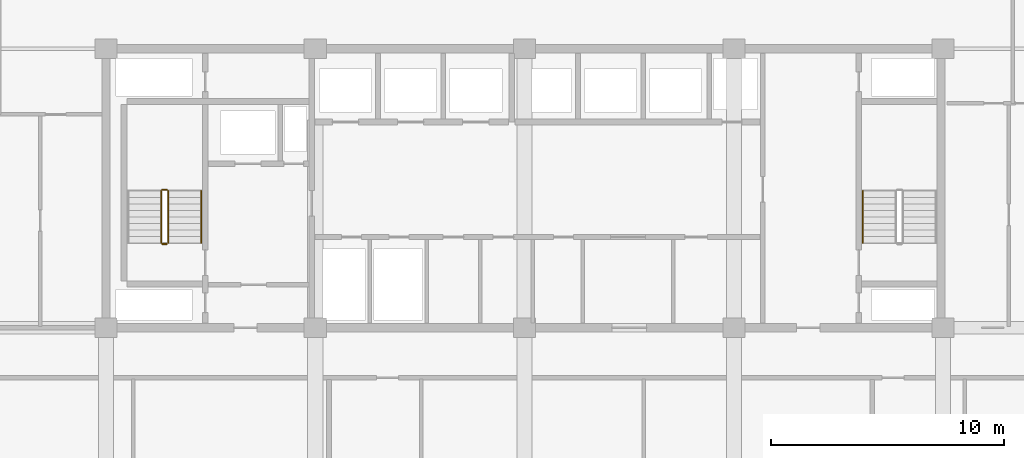
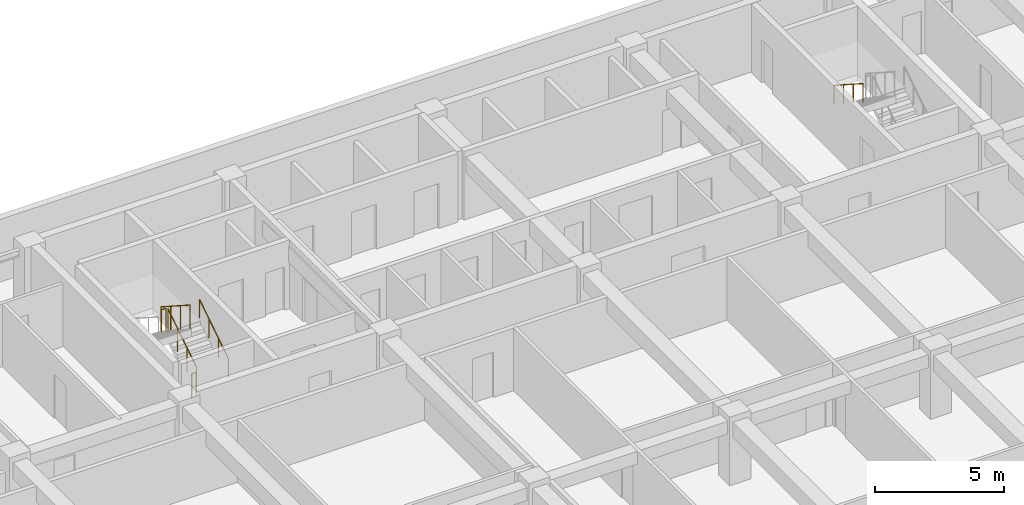
# One storey, part 20 of 23: 6 railings.
"""IFC4 building model written with IfcOpenShell, lengths in metres."""

from ifc_helpers import new_model, si_unit, direction, frame, origin, origin_2d, place, context, subcontext, project, spatial, circle, extrude, material, type_object, element, save


model = new_model("IFC4")

# Units and contexts
model_context = context("Model", 3, precision=1e-05, world=origin(), true_north=direction((0.0, 1.0)))
body_context = subcontext(model_context, "Body", "Model", "MODEL_VIEW")
ifc_project = project(units=[si_unit("LENGTHUNIT", "METRE"), si_unit("AREAUNIT", "SQUARE_METRE"), si_unit("VOLUMEUNIT", "CUBIC_METRE"), si_unit("PLANEANGLEUNIT", "RADIAN"), si_unit("MASSUNIT", "GRAM", prefix="KILO")], contexts=[model_context])

# Site, building, storey
site_placement = place(None, origin())
site = spatial("IfcSite", under=ifc_project, at=site_placement, CompositionType="ELEMENT")
building_placement = place(site_placement, origin())
building = spatial("IfcBuilding", under=site, at=building_placement, Name="Korimba Cascade Residences", CompositionType="ELEMENT")
storey_placement = place(building_placement, frame((0.0, 0.0, 56.5)))
storey = spatial("IfcBuildingStorey", under=building, at=storey_placement, Name="L15", CompositionType="ELEMENT", Elevation=56.5)

# Railings
ifc_material_1 = material(Name="Painted Steel Stairwell Guardrail", Category="steel")
railing_type_1 = type_object("IfcRailingType", Name="RLG-ST-GD1150", PredefinedType="GUARDRAIL", material=ifc_material_1)
railing_1_placement = place(storey_placement, frame((84.77001953125, 22.050048828125, 0.1806640625)))
element("IfcRailing", 1, at=railing_1_placement, inside=storey, type_object=railing_type_1, Name="L15 ST-E1 stair guard 1", PredefinedType="GUARDRAIL", context=body_context, shape_type="SweptSolid", body=[
    extrude(circle(Radius=0.02392578125, at=origin_2d()), frame((0.0, 0.0, 1.1259765625), z_axis=(0.0, 0.840436612492, 0.541909863706), x_axis=(-1.0, 0.0, 0.0)), (0.0, 0.0, 1.0), 2.665283203125),
    extrude(circle(Radius=0.02099609375, at=origin_2d()), origin(), (0.0, 0.0, 1.0), 1.101806640625),
    extrude(circle(Radius=0.02099609375, at=origin_2d()), frame((0.0, 0.74658203125, 0.4814453125)), (0.0, 0.0, 1.0), 1.101806640625),
    extrude(circle(Radius=0.02099609375, at=origin_2d()), frame((0.0, 1.493408203125, 0.962890625)), (0.0, 0.0, 1.0), 1.101806640625),
    extrude(circle(Radius=0.02099609375, at=origin_2d()), frame((0.0, 2.239990234375, 1.4443359375)), (0.0, 0.0, 1.0), 1.101806640625),
])
railing_2_placement = place(storey_placement, frame((84.719970703125, 24.340087890625, 1.625)))
element("IfcRailing", 2, at=railing_2_placement, inside=storey, type_object=railing_type_1, Name="L15 ST-E1 stair guard 2", PredefinedType="GUARDRAIL", context=body_context, shape_type="SweptSolid", body=[
    extrude(circle(Radius=0.02392578125, at=origin_2d()), frame((0.0, 0.0, 1.1259765625), z_axis=(-1.0, 0.0, 0.0), x_axis=(0.0, -1.0, 0.0)), (0.0, 0.0, 1.0), 0.199951171875),
    extrude(circle(Radius=0.02099609375, at=origin_2d()), origin(), (0.0, 0.0, 1.0), 1.101806640625),
    extrude(circle(Radius=0.02099609375, at=origin_2d()), frame((-0.199951171875, 0.0, 0.0)), (0.0, 0.0, 1.0), 1.101806640625),
])
railing_3_placement = place(storey_placement, frame((84.469970703125, 24.2900390625, 1.8056640625)))
element("IfcRailing", 3, at=railing_3_placement, inside=storey, type_object=railing_type_1, Name="L15 ST-E1 stair guard 3", PredefinedType="GUARDRAIL", context=body_context, shape_type="SweptSolid", body=[
    extrude(circle(Radius=0.02392578125, at=origin_2d()), frame((0.0, 0.0, 1.1259765625), z_axis=(0.0, -0.840436612492, 0.541909863706), x_axis=(1.0, 0.0, 0.0)), (0.0, 0.0, 1.0), 2.665283203125),
    extrude(circle(Radius=0.02099609375, at=origin_2d()), origin(), (0.0, 0.0, 1.0), 1.101806640625),
    extrude(circle(Radius=0.02099609375, at=origin_2d()), frame((0.0, -0.74658203125, 0.4814453125)), (0.0, 0.0, 1.0), 1.101806640625),
    extrude(circle(Radius=0.02099609375, at=origin_2d()), frame((0.0, -1.493408203125, 0.962890625)), (0.0, 0.0, 1.0), 1.101806640625),
    extrude(circle(Radius=0.02099609375, at=origin_2d()), frame((0.0, -2.239990234375, 1.4443359375)), (0.0, 0.0, 1.0), 1.101806640625),
])
railing_4_placement = place(storey_placement, frame((84.719970703125, 22.0, 0.0)))
element("IfcRailing", 4, at=railing_4_placement, inside=storey, type_object=railing_type_1, Name="L15 ST-E1 stair guard 4", PredefinedType="GUARDRAIL", context=body_context, shape_type="SweptSolid", body=[
    extrude(circle(Radius=0.02392578125, at=origin_2d()), frame((0.0, 0.0, 1.1259765625), z_axis=(-1.0, 0.0, 0.0), x_axis=(0.0, -1.0, 0.0)), (0.0, 0.0, 1.0), 0.199951171875),
    extrude(circle(Radius=0.02099609375, at=origin_2d()), origin(), (0.0, 0.0, 1.0), 1.101806640625),
    extrude(circle(Radius=0.02099609375, at=origin_2d()), frame((-0.199951171875, 0.0, 0.0)), (0.0, 0.0, 1.0), 1.101806640625),
])
ifc_material_2 = material(Name="Brushed Stainless Steel Handrail", Category="steel")
railing_type_2 = type_object("IfcRailingType", Name="RLG-ST-HR900", PredefinedType="HANDRAIL", material=ifc_material_2)
railing_5_placement = place(storey_placement, frame((86.18994140625, 22.050048828125, 0.364990234375)))
element("IfcRailing", 5, at=railing_5_placement, inside=storey, type_object=railing_type_2, Name="L15 ST-E1 stair handrail 1", PredefinedType="HANDRAIL", context=body_context, shape_type="SweptSolid", body=[
    extrude(circle(Radius=0.02392578125, at=origin_2d()), frame((0.0, 0.0, 0.8759765625), z_axis=(0.0, 0.840436612492, 0.541909863706), x_axis=(-1.0, 0.0, 0.0)), (0.0, 0.0, 1.0), 2.665283203125),
    extrude(circle(Radius=0.02099609375, at=origin_2d()), origin(), (0.0, 0.0, 1.0), 0.851806640625),
    extrude(circle(Radius=0.02099609375, at=origin_2d()), frame((0.0, 0.74658203125, 0.4814453125)), (0.0, 0.0, 1.0), 0.851806640625),
    extrude(circle(Radius=0.02099609375, at=origin_2d()), frame((0.0, 1.493408203125, 0.962890625)), (0.0, 0.0, 1.0), 0.851806640625),
    extrude(circle(Radius=0.02099609375, at=origin_2d()), frame((0.0, 2.239990234375, 1.4443359375)), (0.0, 0.0, 1.0), 0.851806640625),
])
railing_6_placement = place(storey_placement, frame((114.64990234375, 24.2900390625, 1.989990234375)))
element("IfcRailing", 6, at=railing_6_placement, inside=storey, type_object=railing_type_2, Name="L15 ST-E2 stair handrail 2", PredefinedType="HANDRAIL", context=body_context, shape_type="SweptSolid", body=[
    extrude(circle(Radius=0.02392578125, at=origin_2d()), frame((0.0, 0.0, 0.8759765625), z_axis=(0.0, -0.840436612492, 0.541909863706), x_axis=(1.0, 0.0, 0.0)), (0.0, 0.0, 1.0), 2.665283203125),
    extrude(circle(Radius=0.02099609375, at=origin_2d()), origin(), (0.0, 0.0, 1.0), 0.851806640625),
    extrude(circle(Radius=0.02099609375, at=origin_2d()), frame((0.0, -0.74658203125, 0.4814453125)), (0.0, 0.0, 1.0), 0.851806640625),
    extrude(circle(Radius=0.02099609375, at=origin_2d()), frame((0.0, -1.493408203125, 0.962890625)), (0.0, 0.0, 1.0), 0.851806640625),
    extrude(circle(Radius=0.02099609375, at=origin_2d()), frame((0.0, -2.239990234375, 1.4443359375)), (0.0, 0.0, 1.0), 0.851806640625),
])

save(model, "model.ifc")
